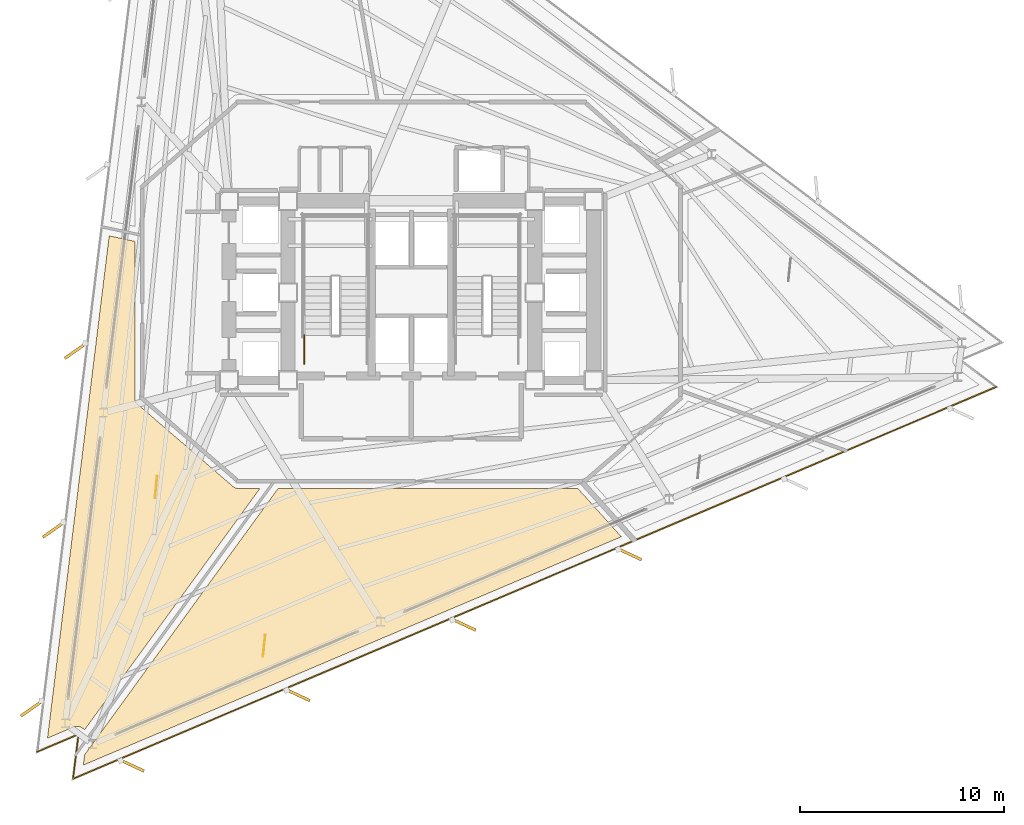
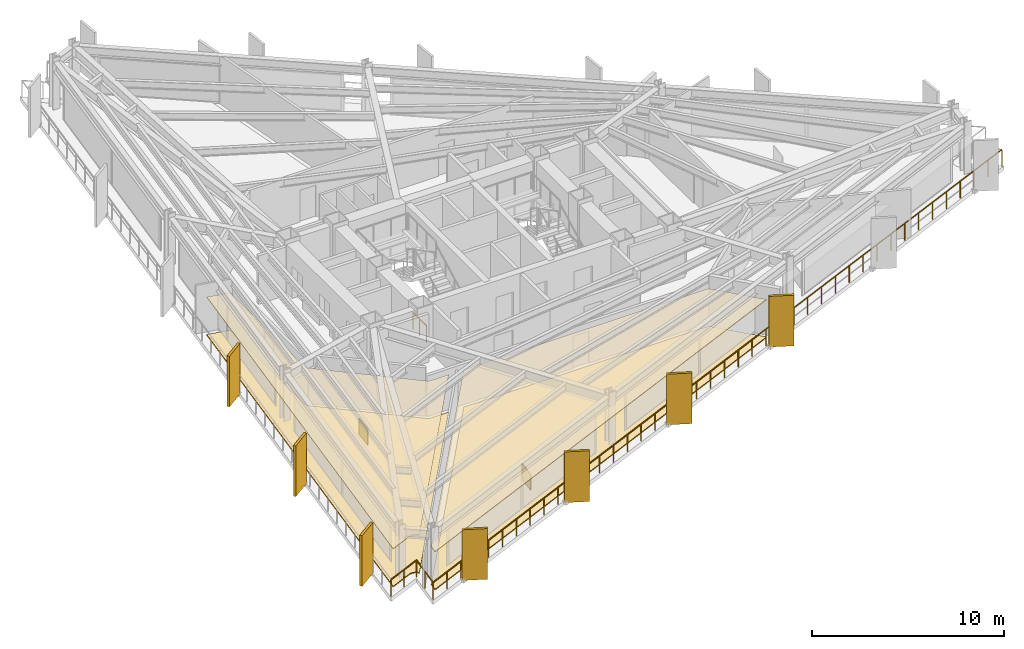
# One storey, part 9 of 13: 7 shading devices, 6 coverings, 2 railings.
"""IFC4 building model written with IfcOpenShell, lengths in metres."""

from ifc_helpers import new_model, si_unit, direction, frame, origin, origin_2d, place, context, subcontext, project, spatial, polyline, rectangle, outline, extrude, material, layer, layer_set, type_object, element, save


model = new_model("IFC4")

# Units and contexts
model_context = context("Model", 3, precision=1e-05, world=origin(), true_north=direction((0.0, 1.0)))
body_context = subcontext(model_context, "Body", "Model", "MODEL_VIEW")
ifc_project = project(units=[si_unit("LENGTHUNIT", "METRE"), si_unit("AREAUNIT", "SQUARE_METRE"), si_unit("VOLUMEUNIT", "CUBIC_METRE"), si_unit("PLANEANGLEUNIT", "RADIAN"), si_unit("MASSUNIT", "GRAM", prefix="KILO")], contexts=[model_context])

# Site, building, storey
site_placement = place(None, origin())
site = spatial("IfcSite", under=ifc_project, at=site_placement, CompositionType="ELEMENT")
building_placement = place(site_placement, origin())
building = spatial("IfcBuilding", under=site, at=building_placement, Name="Rocaltana Carrier Exchange", CompositionType="ELEMENT")
storey_placement = place(building_placement, frame((0.0, 0.0, 69.760009765625)))
storey = spatial("IfcBuildingStorey", under=building, at=storey_placement, Name="L21", CompositionType="ELEMENT", Elevation=69.760009765625)

# Coverings
ifc_material_1 = material(Name="Calcium Sulphate & Aluminium Pedestal", Category="aluminium")
ifc_layer_1 = layer(ifc_material_1, 0.06005859375)
ifc_layer_set_1 = layer_set([ifc_layer_1], Name="Calcium Sulphate & Aluminium Pedestal")
covering_type_1 = type_object("IfcCoveringType", Name="Anti-Static Raised Exchange Access Floor 60", PredefinedType="FLOORING", material=ifc_layer_set_1)
covering_1_placement = place(storey_placement, origin())
element("IfcCovering", 1, at=covering_1_placement, inside=storey, type_object=covering_type_1, Name="L21 Cloud Architecture Office Finish Floor", PredefinedType="FLOORING", context=body_context, shape_type="SweptSolid", body=[
    extrude(outline(polyline([(-16.03271484375, -21.454833984375), (-16.034423828125, -21.45263671875), (-16.047607421875, -21.437744140625), (-16.067138671875, -21.41796875), (-16.081787109375, -21.404296875), (-16.103271484375, -21.386474609375), (-16.119140625, -21.37451171875), (-16.142333984375, -21.35888671875), (-16.159423828125, -21.348388671875), (-16.183837890625, -21.335205078125), (-16.201904296875, -21.326416015625), (-16.227783203125, -21.31591796875), (-16.246337890625, -21.30908203125), (-16.273193359375, -21.30078125), (-16.29248046875, -21.2958984375), (-16.31982421875, -21.29052734375), (-16.339599609375, -21.28759765625), (-16.3671875, -21.284912109375), (-16.38720703125, -21.283935546875), (-16.415283203125, -21.283935546875), (-16.43505859375, -21.284912109375), (-16.462890625, -21.287841796875), (-16.482421875, -21.291015625), (-16.510009765625, -21.29638671875), (-16.529296875, -21.301513671875), (-16.555908203125, -21.309814453125), (-16.57470703125, -21.316650390625), (-16.587646484375, -21.32177734375), (-17.847412109375, -21.8564453125), (-14.822021484375, 2.782470703125), (-13.56005859375, 2.51416015625), (-13.56005859375, -5.199951171875), (-13.559814453125, -5.21337890625), (-13.559326171875, -5.220947265625), (-13.556884765625, -5.24755859375), (-13.5556640625, -5.255126953125), (-13.550537109375, -5.281494140625), (-13.548828125, -5.288818359375), (-13.541259765625, -5.314453125), (-13.538818359375, -5.32177734375), (-13.52880859375, -5.346435546875), (-13.525634765625, -5.353515625), (-13.51318359375, -5.377197265625), (-13.509521484375, -5.3837890625), (-13.4951171875, -5.40625), (-13.490478515625, -5.41259765625), (-13.47412109375, -5.433349609375), (-13.468994140625, -5.439208984375), (-13.450439453125, -5.45849609375), (-13.44482421875, -5.4638671875), (-13.43505859375, -5.47265625), (-8.735107421875, -9.522705078125), (-8.72412109375, -9.53173828125), (-8.717529296875, -9.53662109375), (-8.6943359375, -9.552978515625), (-8.6875, -9.557373046875), (-8.66259765625, -9.571044921875), (-8.6552734375, -9.57470703125), (-8.629150390625, -9.5859375), (-8.62158203125, -9.5888671875), (-8.594482421875, -9.597412109375), (-8.58642578125, -9.599365234375), (-8.55859375, -9.60498046875), (-8.550537109375, -9.606201171875), (-8.522216796875, -9.609130859375), (-8.51416015625, -9.609619140625), (-8.5, -9.610107421875), (-7.427001953125, -9.610107421875), (-16.03271484375, -21.454833984375)])), origin(), (0.0, 0.0, 1.0), 0.06005859375),
])
covering_2_placement = place(storey_placement, origin())
element("IfcCovering", 2, at=covering_2_placement, inside=storey, type_object=covering_type_1, Name="L21 Network Operations Office Finish Floor", PredefinedType="FLOORING", context=body_context, shape_type="SweptSolid", body=[
    extrude(outline(polyline([(-16.028076171875, -22.673095703125), (-6.537109375, -9.610107421875), (8.16845703125, -9.610107421875), (10.30078125, -11.97802734375), (-16.09033203125, -23.180419921875), (-16.028076171875, -22.673095703125)])), origin(), (0.0, 0.0, 1.0), 0.06005859375),
])
ifc_material_2 = material(Name="Mineral Fibre & Powder-Coated Aluminium", Category="aluminium")
ifc_layer_2 = layer(ifc_material_2, 0.044921875)
ifc_layer_set_2 = layer_set([ifc_layer_2], Name="Mineral Fibre & Powder-Coated Aluminium")
covering_type_2 = type_object("IfcCoveringType", Name="Micro-Perforated Acoustic Ceiling 45", PredefinedType="CEILING", material=ifc_layer_set_2)
covering_3_placement = place(storey_placement, frame((0.0, 0.0, 2.403076171875)))
element("IfcCovering", 3, at=covering_3_placement, inside=storey, type_object=covering_type_2, Name="L21 Cloud Architecture Office Acoustic Ceiling", PredefinedType="CEILING", context=body_context, shape_type="SweptSolid", body=[
    extrude(outline(polyline([(-16.03271484375, -21.454833984375), (-16.034423828125, -21.45263671875), (-16.047607421875, -21.437744140625), (-16.067138671875, -21.41796875), (-16.081787109375, -21.404296875), (-16.103271484375, -21.386474609375), (-16.119140625, -21.37451171875), (-16.142333984375, -21.35888671875), (-16.159423828125, -21.348388671875), (-16.183837890625, -21.335205078125), (-16.201904296875, -21.326416015625), (-16.227783203125, -21.31591796875), (-16.246337890625, -21.30908203125), (-16.273193359375, -21.30078125), (-16.29248046875, -21.2958984375), (-16.31982421875, -21.29052734375), (-16.339599609375, -21.28759765625), (-16.3671875, -21.284912109375), (-16.38720703125, -21.283935546875), (-16.415283203125, -21.283935546875), (-16.43505859375, -21.284912109375), (-16.462890625, -21.287841796875), (-16.482421875, -21.291015625), (-16.510009765625, -21.29638671875), (-16.529296875, -21.301513671875), (-16.555908203125, -21.309814453125), (-16.57470703125, -21.316650390625), (-16.587646484375, -21.32177734375), (-17.847412109375, -21.8564453125), (-14.822021484375, 2.782470703125), (-13.56005859375, 2.51416015625), (-13.56005859375, -5.199951171875), (-13.559814453125, -5.21337890625), (-13.559326171875, -5.220947265625), (-13.556884765625, -5.24755859375), (-13.5556640625, -5.255126953125), (-13.550537109375, -5.281494140625), (-13.548828125, -5.288818359375), (-13.541259765625, -5.314453125), (-13.538818359375, -5.32177734375), (-13.52880859375, -5.346435546875), (-13.525634765625, -5.353515625), (-13.51318359375, -5.377197265625), (-13.509521484375, -5.3837890625), (-13.4951171875, -5.40625), (-13.490478515625, -5.41259765625), (-13.47412109375, -5.433349609375), (-13.468994140625, -5.439208984375), (-13.450439453125, -5.45849609375), (-13.44482421875, -5.4638671875), (-13.43505859375, -5.47265625), (-8.735107421875, -9.522705078125), (-8.72412109375, -9.53173828125), (-8.717529296875, -9.53662109375), (-8.6943359375, -9.552978515625), (-8.6875, -9.557373046875), (-8.66259765625, -9.571044921875), (-8.6552734375, -9.57470703125), (-8.629150390625, -9.5859375), (-8.62158203125, -9.5888671875), (-8.594482421875, -9.597412109375), (-8.58642578125, -9.599365234375), (-8.55859375, -9.60498046875), (-8.550537109375, -9.606201171875), (-8.522216796875, -9.609130859375), (-8.51416015625, -9.609619140625), (-8.5, -9.610107421875), (-7.427001953125, -9.610107421875), (-16.03271484375, -21.454833984375)])), origin(), (0.0, 0.0, 1.0), 0.044921875),
])
covering_4_placement = place(storey_placement, frame((0.0, 0.0, 2.403076171875)))
element("IfcCovering", 4, at=covering_4_placement, inside=storey, type_object=covering_type_2, Name="L21 Network Operations Office Acoustic Ceiling", PredefinedType="CEILING", context=body_context, shape_type="SweptSolid", body=[
    extrude(outline(polyline([(-16.028076171875, -22.673095703125), (-6.537109375, -9.610107421875), (8.16845703125, -9.610107421875), (10.30078125, -11.97802734375), (-16.09033203125, -23.180419921875), (-16.028076171875, -22.673095703125)])), origin(), (0.0, 0.0, 1.0), 0.044921875),
])

# Railing
ifc_material_3 = material(Name="Powder-Coated Aluminium 6063-T6", Category="aluminium")
ifc_layer_3 = layer(ifc_material_3, 0.048095703125)
ifc_layer_set_3 = layer_set([ifc_layer_3], Name="Powder-Coated Aluminium 6063-T6")
railing_type_1 = type_object("IfcRailingType", Name="Stair Well Guardrail 1100", PredefinedType="GUARDRAIL", material=ifc_layer_set_3)
railing_1_placement = place(storey_placement, frame((-5.25, -3.5, 0.0)))
element("IfcRailing", 5, at=railing_1_placement, inside=storey, type_object=railing_type_1, Name="L21 ST-1 stair guard 9", PredefinedType="GUARDRAIL", context=body_context, shape_type="SweptSolid", body=[
    extrude(rectangle(XDim=0.048095703125, YDim=0.048095703125, at=origin_2d()), frame((0.0, 0.0, 1.076171875), z_axis=(0.0, 1.0, 0.0), x_axis=(-1.0, 0.0, 0.0)), (0.0, 0.0, 1.0), 1.39990234375),
    extrude(rectangle(XDim=0.0419921875, YDim=0.0419921875, at=origin_2d()), origin(), (0.0, 0.0, 1.0), 1.052001953125),
    extrude(rectangle(XDim=0.0419921875, YDim=0.0419921875, at=origin_2d()), frame((0.0, 0.699951171875, 0.0)), (0.0, 0.0, 1.0), 1.052001953125),
    extrude(rectangle(XDim=0.0419921875, YDim=0.0419921875, at=origin_2d()), frame((0.0, 1.39990234375, 0.0)), (0.0, 0.0, 1.0), 1.052001953125),
])

# Coverings
ifc_material_4 = material(Name="Honed Piedra Muneca Sandstone", Category="masonry")
ifc_layer_4 = layer(ifc_material_4, 0.034912109375)
ifc_layer_set_4 = layer_set([ifc_layer_4], Name="Honed Piedra Muneca Sandstone")
covering_type_3 = type_object("IfcCoveringType", Name="Stone Facade Cladding 35", PredefinedType="CLADDING", material=ifc_layer_set_4)
for number, where, z_axis, x_axis, name in (
    (6, (-12.520751953125, -9.544921875, 0.0), (0.0, 0.0, 1.0), (0.104528463268, 0.994521895368, 0.0), "L21 Stone Facade Cladding Panel 1"),
    (7, (-7.22021484375, -17.32568359375, 0.0), (0.0, 0.0, 1.0), (0.104528463268, 0.994521895368, 0.0), "L21 Stone Facade Cladding Panel 2"),
):
    element("IfcCovering", number, at=place(storey_placement, frame(where, z_axis=z_axis, x_axis=x_axis)), inside=storey, type_object=covering_type_3, Name=name, PredefinedType="CLADDING", context=body_context, shape_type="SweptSolid", body=[
        extrude(rectangle(XDim=1.10009765625, YDim=0.034912109375, at=origin_2d()), origin(), (0.0, 0.0, 1.0), 1.050048828125),
    ])

# Shading devices
ifc_material_5 = material(Name="Honed Bogota Sandstone & Concrete C45/55", Category="masonry")
ifc_layer_5 = layer(ifc_material_5, 0.139892578125)
ifc_layer_set_5 = layer_set([ifc_layer_5], Name="Honed Bogota Sandstone & Concrete C45/55")
shading_device_type = type_object("IfcShadingDeviceType", Name="Vertical Sandstone Shading Fin 1320x140", PredefinedType="USERDEFINED", material=ifc_layer_set_5)
for number, where, z_axis, x_axis, name in (
    (8, (-16.46142578125, -2.85009765625, -0.1201171875), (0.0, 0.0, 1.0), (-0.819152044289, -0.573576436351, 0.0), "L21 Sandstone Vertical Fin F2-04"),
    (9, (-17.538818359375, -11.6240234375, -0.1201171875), (0.0, 0.0, 1.0), (-0.819152044289, -0.573576436351, 0.0), "L21 Sandstone Vertical Fin F2-05"),
    (10, (-18.6162109375, -20.398193359375, -0.1201171875), (0.0, 0.0, 1.0), (-0.819152044289, -0.573576436351, 0.0), "L21 Sandstone Vertical Fin F2-06"),
    (11, (-13.712890625, -23.193359375, -0.1201171875), (0.0, 0.0, 1.0), (0.906307787037, -0.422618261741, 0.0), "L21 Sandstone Vertical Fin F3-01"),
    (12, (-5.57568359375, -19.7392578125, -0.1201171875), (0.0, 0.0, 1.0), (0.906307787037, -0.422618261741, 0.0), "L21 Sandstone Vertical Fin F3-02"),
    (13, (2.5615234375, -16.28515625, -0.1201171875), (0.0, 0.0, 1.0), (0.906307787037, -0.422618261741, 0.0), "L21 Sandstone Vertical Fin F3-03"),
    (14, (10.698974609375, -12.8310546875, -0.1201171875), (0.0, 0.0, 1.0), (0.906307787037, -0.422618261741, 0.0), "L21 Sandstone Vertical Fin F3-04"),
):
    element("IfcShadingDevice", number, at=place(storey_placement, frame(where, z_axis=z_axis, x_axis=x_axis)), inside=storey, type_object=shading_device_type, Name=name, ObjectType="FIN", PredefinedType="USERDEFINED", context=body_context, shape_type="SweptSolid", body=[
        extrude(rectangle(XDim=1.320068359375, YDim=0.139892578125, at=origin_2d()), origin(), (0.0, 0.0, 1.0), 3.218017578125),
    ])

# Railing
ifc_material_6 = material(Name="Powder-Coated Aluminium 6063-T6", Category="aluminium")
ifc_layer_6 = layer(ifc_material_6, 0.06005859375)
ifc_layer_set_6 = layer_set([ifc_layer_6], Name="Powder-Coated Aluminium 6063-T6")
railing_type_2 = type_object("IfcRailingType", Name="Wind-Floor & Terrace Perimeter Guardrail 1100", PredefinedType="GUARDRAIL", material=ifc_layer_set_6)
railing_2_placement = place(storey_placement, frame((28.685791015625, -4.63037109375, 0.0)))
element("IfcRailing", 15, at=railing_2_placement, inside=storey, type_object=railing_type_2, Name="L21 Perimeter Balcony Guardrail 1", PredefinedType="GUARDRAIL", context=body_context, shape_type="SweptSolid", body=[
    extrude(rectangle(XDim=0.048095703125, YDim=0.048095703125, at=origin_2d()), frame((0.0, 0.0, 1.076171875), z_axis=(-0.920504928534, -0.390730951608, 0.0), x_axis=(0.390730951608, -0.920504928534, 0.0)), (0.0, 0.0, 1.0), 49.1923828125),
    extrude(rectangle(XDim=0.048095703125, YDim=0.048095703125, at=origin_2d()), frame((-45.28173828125, -19.220947265625, 1.076171875), z_axis=(0.121849105842, 0.992548636292, 0.0), x_axis=(-0.992548636292, 0.121849105842, 0.0)), (0.0, 0.0, 1.0), 2.199951171875),
    extrude(rectangle(XDim=0.048095703125, YDim=0.048095703125, at=origin_2d()), frame((-45.013671875, -17.037353515625, 1.076171875), z_axis=(-0.920488651352, -0.390769296046, 0.0), x_axis=(0.390769296046, -0.920488651352, 0.0)), (0.0, 0.0, 1.0), 2.19970703125),
    extrude(rectangle(XDim=0.0419921875, YDim=0.0419921875, at=origin_2d()), origin(), (0.0, 0.0, 1.0), 1.052001953125),
    extrude(rectangle(XDim=0.0419921875, YDim=0.0419921875, at=origin_2d()), frame((-1.1044921875, -0.46875, 0.0)), (0.0, 0.0, 1.0), 1.052001953125),
    extrude(rectangle(XDim=0.0419921875, YDim=0.0419921875, at=origin_2d()), frame((-2.208984375, -0.9375, 0.0)), (0.0, 0.0, 1.0), 1.052001953125),
    extrude(rectangle(XDim=0.0419921875, YDim=0.0419921875, at=origin_2d()), frame((-3.313232421875, -1.406494140625, 0.0)), (0.0, 0.0, 1.0), 1.052001953125),
    extrude(rectangle(XDim=0.0419921875, YDim=0.0419921875, at=origin_2d()), frame((-4.417724609375, -1.875244140625, 0.0)), (0.0, 0.0, 1.0), 1.052001953125),
    extrude(rectangle(XDim=0.0419921875, YDim=0.0419921875, at=origin_2d()), frame((-5.522216796875, -2.343994140625, 0.0)), (0.0, 0.0, 1.0), 1.052001953125),
    extrude(rectangle(XDim=0.0419921875, YDim=0.0419921875, at=origin_2d()), frame((-6.626708984375, -2.812744140625, 0.0)), (0.0, 0.0, 1.0), 1.052001953125),
    extrude(rectangle(XDim=0.0419921875, YDim=0.0419921875, at=origin_2d()), frame((-7.73095703125, -3.28173828125, 0.0)), (0.0, 0.0, 1.0), 1.052001953125),
    extrude(rectangle(XDim=0.0419921875, YDim=0.0419921875, at=origin_2d()), frame((-8.83544921875, -3.75048828125, 0.0)), (0.0, 0.0, 1.0), 1.052001953125),
    extrude(rectangle(XDim=0.0419921875, YDim=0.0419921875, at=origin_2d()), frame((-9.93994140625, -4.21923828125, 0.0)), (0.0, 0.0, 1.0), 1.052001953125),
    extrude(rectangle(XDim=0.0419921875, YDim=0.0419921875, at=origin_2d()), frame((-11.04443359375, -4.68798828125, 0.0)), (0.0, 0.0, 1.0), 1.052001953125),
    extrude(rectangle(XDim=0.0419921875, YDim=0.0419921875, at=origin_2d()), frame((-12.148681640625, -5.15673828125, 0.0)), (0.0, 0.0, 1.0), 1.052001953125),
    extrude(rectangle(XDim=0.0419921875, YDim=0.0419921875, at=origin_2d()), frame((-13.253173828125, -5.625732421875, 0.0)), (0.0, 0.0, 1.0), 1.052001953125),
    extrude(rectangle(XDim=0.0419921875, YDim=0.0419921875, at=origin_2d()), frame((-14.357666015625, -6.094482421875, 0.0)), (0.0, 0.0, 1.0), 1.052001953125),
    extrude(rectangle(XDim=0.0419921875, YDim=0.0419921875, at=origin_2d()), frame((-15.462158203125, -6.563232421875, 0.0)), (0.0, 0.0, 1.0), 1.052001953125),
    extrude(rectangle(XDim=0.0419921875, YDim=0.0419921875, at=origin_2d()), frame((-16.56640625, -7.031982421875, 0.0)), (0.0, 0.0, 1.0), 1.052001953125),
    extrude(rectangle(XDim=0.0419921875, YDim=0.0419921875, at=origin_2d()), frame((-17.6708984375, -7.5009765625, 0.0)), (0.0, 0.0, 1.0), 1.052001953125),
    extrude(rectangle(XDim=0.0419921875, YDim=0.0419921875, at=origin_2d()), frame((-18.775390625, -7.9697265625, 0.0)), (0.0, 0.0, 1.0), 1.052001953125),
    extrude(rectangle(XDim=0.0419921875, YDim=0.0419921875, at=origin_2d()), frame((-19.8798828125, -8.4384765625, 0.0)), (0.0, 0.0, 1.0), 1.052001953125),
    extrude(rectangle(XDim=0.0419921875, YDim=0.0419921875, at=origin_2d()), frame((-20.984130859375, -8.9072265625, 0.0)), (0.0, 0.0, 1.0), 1.052001953125),
    extrude(rectangle(XDim=0.0419921875, YDim=0.0419921875, at=origin_2d()), frame((-22.088623046875, -9.3759765625, 0.0)), (0.0, 0.0, 1.0), 1.052001953125),
    extrude(rectangle(XDim=0.0419921875, YDim=0.0419921875, at=origin_2d()), frame((-23.193115234375, -9.844970703125, 0.0)), (0.0, 0.0, 1.0), 1.052001953125),
    extrude(rectangle(XDim=0.0419921875, YDim=0.0419921875, at=origin_2d()), frame((-24.297607421875, -10.313720703125, 0.0)), (0.0, 0.0, 1.0), 1.052001953125),
    extrude(rectangle(XDim=0.0419921875, YDim=0.0419921875, at=origin_2d()), frame((-25.40185546875, -10.782470703125, 0.0)), (0.0, 0.0, 1.0), 1.052001953125),
    extrude(rectangle(XDim=0.0419921875, YDim=0.0419921875, at=origin_2d()), frame((-26.50634765625, -11.251220703125, 0.0)), (0.0, 0.0, 1.0), 1.052001953125),
    extrude(rectangle(XDim=0.0419921875, YDim=0.0419921875, at=origin_2d()), frame((-27.61083984375, -11.719970703125, 0.0)), (0.0, 0.0, 1.0), 1.052001953125),
    extrude(rectangle(XDim=0.0419921875, YDim=0.0419921875, at=origin_2d()), frame((-28.71533203125, -12.18896484375, 0.0)), (0.0, 0.0, 1.0), 1.052001953125),
    extrude(rectangle(XDim=0.0419921875, YDim=0.0419921875, at=origin_2d()), frame((-29.819580078125, -12.65771484375, 0.0)), (0.0, 0.0, 1.0), 1.052001953125),
    extrude(rectangle(XDim=0.0419921875, YDim=0.0419921875, at=origin_2d()), frame((-30.924072265625, -13.12646484375, 0.0)), (0.0, 0.0, 1.0), 1.052001953125),
    extrude(rectangle(XDim=0.0419921875, YDim=0.0419921875, at=origin_2d()), frame((-32.028564453125, -13.59521484375, 0.0)), (0.0, 0.0, 1.0), 1.052001953125),
    extrude(rectangle(XDim=0.0419921875, YDim=0.0419921875, at=origin_2d()), frame((-33.133056640625, -14.064208984375, 0.0)), (0.0, 0.0, 1.0), 1.052001953125),
    extrude(rectangle(XDim=0.0419921875, YDim=0.0419921875, at=origin_2d()), frame((-34.2373046875, -14.532958984375, 0.0)), (0.0, 0.0, 1.0), 1.052001953125),
    extrude(rectangle(XDim=0.0419921875, YDim=0.0419921875, at=origin_2d()), frame((-35.341796875, -15.001708984375, 0.0)), (0.0, 0.0, 1.0), 1.052001953125),
    extrude(rectangle(XDim=0.0419921875, YDim=0.0419921875, at=origin_2d()), frame((-36.4462890625, -15.470458984375, 0.0)), (0.0, 0.0, 1.0), 1.052001953125),
    extrude(rectangle(XDim=0.0419921875, YDim=0.0419921875, at=origin_2d()), frame((-37.55078125, -15.939208984375, 0.0)), (0.0, 0.0, 1.0), 1.052001953125),
    extrude(rectangle(XDim=0.0419921875, YDim=0.0419921875, at=origin_2d()), frame((-38.655029296875, -16.408203125, 0.0)), (0.0, 0.0, 1.0), 1.052001953125),
    extrude(rectangle(XDim=0.0419921875, YDim=0.0419921875, at=origin_2d()), frame((-39.759521484375, -16.876953125, 0.0)), (0.0, 0.0, 1.0), 1.052001953125),
    extrude(rectangle(XDim=0.0419921875, YDim=0.0419921875, at=origin_2d()), frame((-40.864013671875, -17.345703125, 0.0)), (0.0, 0.0, 1.0), 1.052001953125),
    extrude(rectangle(XDim=0.0419921875, YDim=0.0419921875, at=origin_2d()), frame((-41.968505859375, -17.814453125, 0.0)), (0.0, 0.0, 1.0), 1.052001953125),
    extrude(rectangle(XDim=0.0419921875, YDim=0.0419921875, at=origin_2d()), frame((-43.07275390625, -18.283447265625, 0.0)), (0.0, 0.0, 1.0), 1.052001953125),
    extrude(rectangle(XDim=0.0419921875, YDim=0.0419921875, at=origin_2d()), frame((-44.17724609375, -18.752197265625, 0.0)), (0.0, 0.0, 1.0), 1.052001953125),
    extrude(rectangle(XDim=0.0419921875, YDim=0.0419921875, at=origin_2d()), frame((-45.28173828125, -19.220947265625, 0.0)), (0.0, 0.0, 1.0), 1.052001953125),
    extrude(rectangle(XDim=0.0419921875, YDim=0.0419921875, at=origin_2d()), frame((-45.147705078125, -18.129150390625, 0.0)), (0.0, 0.0, 1.0), 1.052001953125),
    extrude(rectangle(XDim=0.0419921875, YDim=0.0419921875, at=origin_2d()), frame((-45.013671875, -17.037353515625, 0.0)), (0.0, 0.0, 1.0), 1.052001953125),
    extrude(rectangle(XDim=0.0419921875, YDim=0.0419921875, at=origin_2d()), frame((-46.026123046875, -17.46728515625, 0.0)), (0.0, 0.0, 1.0), 1.052001953125),
    extrude(rectangle(XDim=0.0419921875, YDim=0.0419921875, at=origin_2d()), frame((-47.03857421875, -17.89697265625, 0.0)), (0.0, 0.0, 1.0), 1.052001953125),
])

save(model, "model.ifc")
